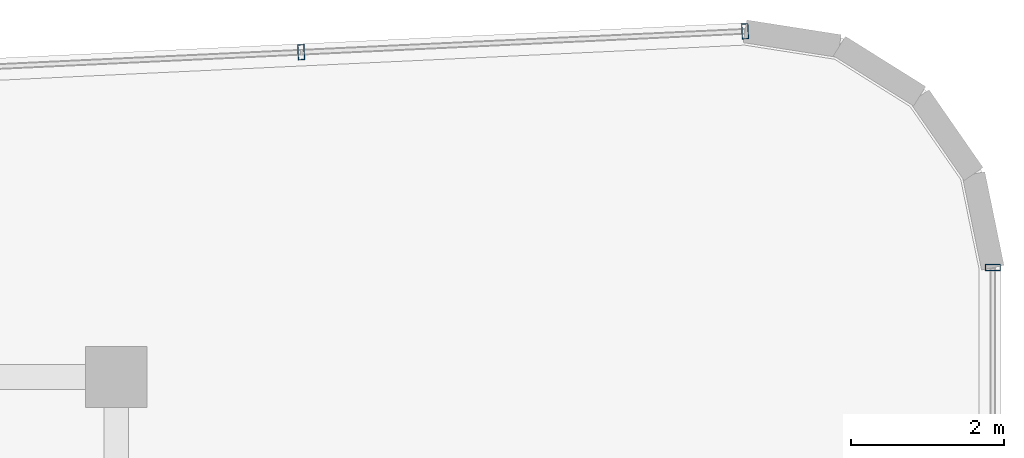
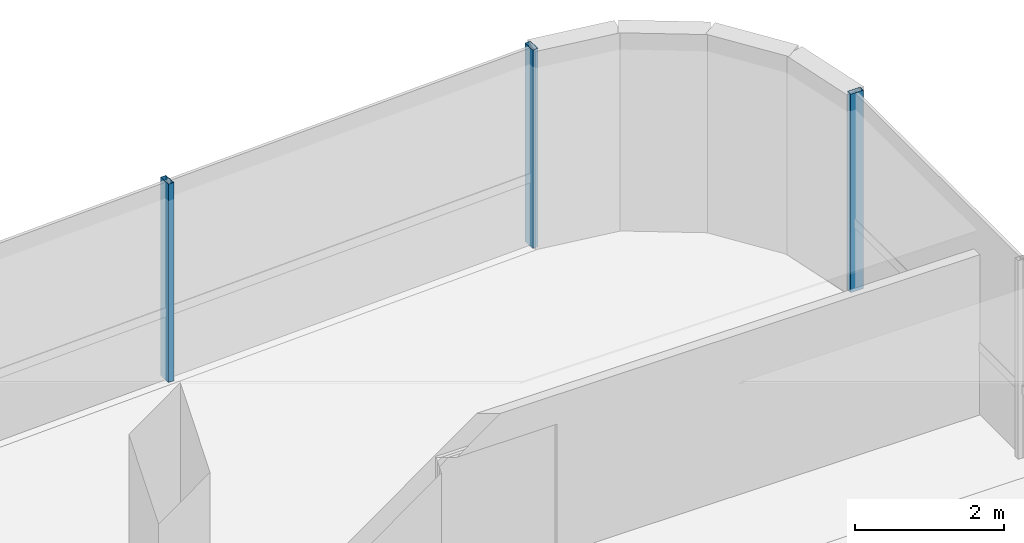
# One storey, part 12 of 20: 3 members, 2 elements without a shape of their own.
"""IFC4 building model written with IfcOpenShell, lengths in metres."""

import ifcopenshell
import ifcopenshell.guid

model = None  # the IFC model being written
_history = None  # IfcOwnerHistory: only IFC2X3 demands one
_inside = {}  # id of a spatial element -> (the spatial element, [elements in it])
_under = {}  # id of a project, library or spatial element -> (it, [spatial elements below it])
_declared = {}  # id of a project -> (the project, [libraries it declares])
_typed = {}  # id of a type object -> (the type object, [elements of that type])
_made_of = {}  # id of a material, layer set ... -> (it, [elements and type objects made of it])


def new_model(schema):
    """Start an empty IFC model of exactly this schema.

    Asked for "IFC4X3", IfcOpenShell would pick the latest addendum, in which some entities
    have other attributes; the version numbers below select the first issue.
    IFC2X3 requires an IfcOwnerHistory on every rooted entity: one is made here for all.
    """
    global model, _history
    if schema == "IFC4X3":
        model = ifcopenshell.file(schema_version=(4, 3, 0, 0))
    else:
        model = ifcopenshell.file(schema=schema)
    _inside.clear()
    _under.clear()
    _declared.clear()
    _typed.clear()
    _made_of.clear()
    _history = None
    if model.schema == "IFC2X3":
        org = make("IfcOrganization", Name="unknown")
        user = make(
            "IfcPersonAndOrganization",
            ThePerson=make("IfcPerson", FamilyName="unknown"),
            TheOrganization=org,
        )
        app = make(
            "IfcApplication",
            ApplicationDeveloper=org,
            Version="unknown",
            ApplicationFullName="unknown",
            ApplicationIdentifier="unknown",
        )
        _history = make(
            "IfcOwnerHistory",
            OwningUser=user,
            OwningApplication=app,
            ChangeAction="ADDED",
            CreationDate=0,
        )
    return model


def make(cls, **values):
    """One entity of the class cls with the attributes given. An attribute that is None is left unset."""
    return model.create_entity(
        cls, **{name: value for name, value in values.items() if value is not None}
    )


def rooted(cls, **values):
    """An entity with a GlobalId (a new one), such as an element, a storey or a relation."""
    return make(cls, GlobalId=ifcopenshell.guid.new(), OwnerHistory=_history, **values)


def si_unit(unit_type, name, prefix=None):
    """IfcSIUnit, for example si_unit("LENGTHUNIT", "METRE", prefix="MILLI")."""
    return make("IfcSIUnit", UnitType=unit_type, Prefix=prefix, Name=name)


def assignment(units):
    """IfcUnitAssignment: the units of a project."""
    return None if units is None else make("IfcUnitAssignment", Units=units)


def point(xyz):
    """IfcCartesianPoint."""
    return None if xyz is None else make("IfcCartesianPoint", Coordinates=xyz)


def direction(xyz):
    """IfcDirection."""
    return None if xyz is None else make("IfcDirection", DirectionRatios=xyz)


def frame(location, z_axis=None, x_axis=None):
    """IfcAxis2Placement3D, a coordinate frame: its origin and axes. An axis left out is left unset."""
    return make(
        "IfcAxis2Placement3D",
        Location=point(location),
        Axis=direction(z_axis),
        RefDirection=direction(x_axis),
    )


def frame_2d(location, x_axis=None):
    """IfcAxis2Placement2D, a coordinate frame in the plane: its origin and x axis."""
    return make(
        "IfcAxis2Placement2D", Location=point(location), RefDirection=direction(x_axis)
    )


def origin():
    """The frame at (0, 0, 0) with its axes left unset."""
    return frame((0.0, 0.0, 0.0))


def origin_2d():
    """The frame at (0, 0) in the plane with its x axis left unset."""
    return frame_2d((0.0, 0.0))


def place(relative_to, where):
    """IfcLocalPlacement: puts the frame where relative to a parent placement (None: the world)."""
    return make(
        "IfcLocalPlacement", PlacementRelTo=relative_to, RelativePlacement=where
    )


def context(
    kind, dimensions, precision=None, world=None, true_north=None, identifier=None
):
    """IfcGeometricRepresentationContext, for example the 3D "Model" context."""
    return make(
        "IfcGeometricRepresentationContext",
        ContextIdentifier=identifier,
        ContextType=kind,
        CoordinateSpaceDimension=dimensions,
        Precision=precision,
        WorldCoordinateSystem=world,
        TrueNorth=true_north,
    )


def subcontext(parent, identifier, kind, view, scale=None):
    """IfcGeometricRepresentationSubContext, for example "Body" below "Model"."""
    return make(
        "IfcGeometricRepresentationSubContext",
        ContextIdentifier=identifier,
        ContextType=kind,
        ParentContext=parent,
        TargetScale=scale,
        TargetView=view,
    )


def project(units=None, contexts=None):
    """IfcProject with its units and contexts."""
    return rooted(
        "IfcProject",
        Name="project",
        RepresentationContexts=contexts,
        UnitsInContext=assignment(units),
    )


def spatial(cls, under=None, at=None, **own):
    """A site, building, storey or space (cls), placed at a placement, below another one or the project."""
    s = rooted(cls, ObjectPlacement=at, **own)
    if under is not None:
        _under.setdefault(under.id(), (under, []))[1].append(s)
    return s


def profile(cls, at=None, kind="AREA", **sizes):
    """A parametric profile (cls). Its sizes go by their IFC names, for example OverallWidth=200.0."""
    return make(cls, ProfileType=kind, Position=at, **sizes)


def hollow_rectangle(**sizes):
    """IfcRectangleHollowProfileDef."""
    return profile("IfcRectangleHollowProfileDef", **sizes)


def extrude(swept, where, along, depth):
    """IfcExtrudedAreaSolid: the profile swept, set in the frame where, extruded along a direction by depth."""
    return make(
        "IfcExtrudedAreaSolid",
        SweptArea=swept,
        Position=where,
        ExtrudedDirection=direction(along),
        Depth=depth,
    )


def shape(context_of_items, identifier, shape_type, items):
    """IfcShapeRepresentation: the items that make up one representation, for example the "Body"."""
    return make(
        "IfcShapeRepresentation",
        ContextOfItems=context_of_items,
        RepresentationIdentifier=identifier,
        RepresentationType=shape_type,
        Items=items,
    )


def source(mapping_origin, context_of_items, identifier, shape_type, items):
    """IfcRepresentationMap: a shape defined once, which mapped items show again and again."""
    return make(
        "IfcRepresentationMap",
        MappingOrigin=mapping_origin,
        MappedRepresentation=shape(context_of_items, identifier, shape_type, items),
    )


def transform(
    local_origin,
    x_axis=None,
    y_axis=None,
    z_axis=None,
    scale=None,
    scale2=None,
    scale3=None,
    uniform=True,
):
    """IfcCartesianTransformationOperator3D, or its non-uniform kind. x_axis, y_axis, z_axis: its Axis1, 2, 3."""
    if uniform:
        return make(
            "IfcCartesianTransformationOperator3D",
            Axis1=direction(x_axis),
            Axis2=direction(y_axis),
            LocalOrigin=point(local_origin),
            Scale=scale,
            Axis3=direction(z_axis),
        )
    return make(
        "IfcCartesianTransformationOperator3DnonUniform",
        Axis1=direction(x_axis),
        Axis2=direction(y_axis),
        LocalOrigin=point(local_origin),
        Scale=scale,
        Axis3=direction(z_axis),
        Scale2=scale2,
        Scale3=scale3,
    )


def mapped(mapping_source, mapping_target):
    """IfcMappedItem: shows the shape of a source again, moved by a transform."""
    return make(
        "IfcMappedItem", MappingSource=mapping_source, MappingTarget=mapping_target
    )


def material(Name=None, Category=None):
    """IfcMaterial."""
    return make("IfcMaterial", Name=Name, Category=Category)


def material_profile(
    of_material, cross_section, Name=None, Category=None, Priority=None
):
    """IfcMaterialProfile: a cross section and its material."""
    return make(
        "IfcMaterialProfile",
        Name=Name,
        Material=of_material,
        Profile=cross_section,
        Priority=Priority,
        Category=Category,
    )


def profile_set(profiles, Name=None, composite=None):
    """IfcMaterialProfileSet."""
    return make(
        "IfcMaterialProfileSet",
        Name=Name,
        MaterialProfiles=profiles,
        CompositeProfile=composite,
    )


def made_of(thing, what):
    """Note that an element or type object is made of a material, layer set ...; save() writes the relation."""
    if what is not None:
        _made_of.setdefault(what.id(), (what, []))[1].append(thing)
    return thing


def type_object(cls, material=None, **own):
    """A type object (cls), such as IfcWallType, which elements share."""
    return made_of(rooted(cls, **own), material)


def element(
    cls,
    number,
    at=None,
    inside=None,
    cuts=None,
    type_object=None,
    material=None,
    context=None,
    identifier="Body",
    shape_type=None,
    held_by="IfcProductDefinitionShape",
    body=None,
    shapes=None,
    **own,
):
    """One element of the class cls, such as IfcWall. Its Tag is "e" and its number.

    at: its placement. inside: the storey or other place that contains it. cuts: it is an
    opening in that element (IfcRelVoidsElement). A single representation is given by context,
    identifier, shape_type and body (its items); several are given by shapes. held_by: the class
    of the entity that holds the representations. save() writes the other relations.
    """
    e = rooted(cls, Tag="e%d" % number, ObjectPlacement=at, **own)
    if body is not None:
        shapes = [shape(context, identifier, shape_type, body)]
    if shapes is not None:
        e.Representation = make(held_by, Representations=shapes)
    if inside is not None:
        _inside.setdefault(inside.id(), (inside, []))[1].append(e)
    if cuts is not None:
        rooted(
            "IfcRelVoidsElement", RelatingBuildingElement=cuts, RelatedOpeningElement=e
        )
    if type_object is not None:
        _typed.setdefault(type_object.id(), (type_object, []))[1].append(e)
    return made_of(e, material)


def aggregate(whole, parts):
    """IfcRelAggregates: a whole, such as a stair, and the parts it consists of."""
    return rooted("IfcRelAggregates", RelatingObject=whole, RelatedObjects=parts)


def save(model, path):
    """Write the relations noted so far, then the file.

    IfcRelAggregates (storeys below a building ...), IfcRelContainedInSpatialStructure (elements
    in a storey), IfcRelDefinesByType, IfcRelAssociatesMaterial and IfcRelDeclares: one each for
    every whole, place, type object, material and project.
    """
    for whole, parts in _under.values():
        aggregate(whole, parts)
    for where, things in _inside.values():
        rooted(
            "IfcRelContainedInSpatialStructure",
            RelatedElements=things,
            RelatingStructure=where,
        )
    for kind, things in _typed.values():
        rooted("IfcRelDefinesByType", RelatedObjects=things, RelatingType=kind)
    for what, things in _made_of.values():
        rooted("IfcRelAssociatesMaterial", RelatedObjects=things, RelatingMaterial=what)
    for by, libraries in _declared.values():
        rooted("IfcRelDeclares", RelatingContext=by, RelatedDefinitions=libraries)
    model.write(path)


model = new_model("IFC4")

# Units and contexts
model_context = context("Model", 3, precision=1e-05, world=origin(), true_north=direction((0.0, 1.0)))
body_context = subcontext(model_context, "Body", "Model", "MODEL_VIEW")
ifc_project = project(units=[si_unit("LENGTHUNIT", "METRE"), si_unit("AREAUNIT", "SQUARE_METRE"), si_unit("VOLUMEUNIT", "CUBIC_METRE"), si_unit("PLANEANGLEUNIT", "RADIAN"), si_unit("MASSUNIT", "GRAM", prefix="KILO")], contexts=[model_context])

# Site, building, storey
site_placement = place(None, origin())
site = spatial("IfcSite", under=ifc_project, at=site_placement, CompositionType="ELEMENT")
building_placement = place(site_placement, origin())
building = spatial("IfcBuilding", under=site, at=building_placement, Name="Valdorenza Pilgrim Sanctuary Tower", CompositionType="ELEMENT")
storey_placement = place(building_placement, frame((0.0, 0.0, 280.0)))
storey = spatial("IfcBuildingStorey", under=building, at=storey_placement, Name="L73", CompositionType="ELEMENT", Elevation=280.0)

# Curtain wall, members
ifc_material_1 = material(Name="Curtain-wall IGU glazing", Category="glass")
curtain_wall_type = type_object("IfcCurtainWallType", Name="CW-SYS-02", PredefinedType="NOTDEFINED", material=ifc_material_1)
curtain_wall_1_placement = place(storey_placement, origin())
curtain_wall_1 = element("IfcCurtainWall", 1, at=curtain_wall_1_placement, inside=storey, type_object=curtain_wall_type, Name="L73 Curtain Wall CW-L73-1-6", PredefinedType="NOTDEFINED")
ifc_material_2 = material(Name="Anodised aluminium AW-6060", Category="aluminium")
ifc_material_profile = material_profile(ifc_material_2, hollow_rectangle(XDim=0.0849609375, YDim=0.199951171875, WallThickness=0.0048828125, at=origin_2d()), Name="ALU-M 200x85x5")
ifc_profile_set = profile_set([ifc_material_profile], Name="Anodised aluminium AW-6060")
member_type = type_object("IfcMemberType", Name="CW-MUL-02", PredefinedType="MULLION", material=ifc_profile_set)
shared_shape = source(origin(), body_context, "Body", "SweptSolid", [
    extrude(hollow_rectangle(XDim=0.0849609375, YDim=0.199951171875, WallThickness=0.0048828125, at=origin_2d()), origin(), (0.0, 0.0, 1.0), 3.260009765625),
])
member_1_placement = place(storey_placement, frame((-9.976318359375, 19.057373046875, 0.0), z_axis=(0.0, 0.0, 1.0), x_axis=(0.998890696972, 0.047089016785, 0.0)))
member_1 = element("IfcMember", 2, at=member_1_placement, type_object=member_type, Name="CW-L73-1-6 Mullion 4", PredefinedType="MULLION", context=body_context, shape_type="MappedRepresentation", body=[
    mapped(shared_shape, transform((0.0, 0.0, 0.0), x_axis=(1.0, 0.0, 0.0), y_axis=(0.0, 1.0, 0.0), z_axis=(0.0, 0.0, 1.0), scale=1.0)),
])
member_2_placement = place(storey_placement, frame((-4.15673828125, 19.331787109375, 0.0), z_axis=(0.0, 0.0, 1.0), x_axis=(0.998890696972, 0.047089016785, 0.0)))
member_2 = element("IfcMember", 3, at=member_2_placement, type_object=member_type, Name="CW-L73-1-6 Mullion 5", PredefinedType="MULLION", context=body_context, shape_type="MappedRepresentation", body=[
    mapped(shared_shape, transform((0.0, 0.0, 0.0), x_axis=(1.0, 0.0, 0.0), y_axis=(0.0, 1.0, 0.0), z_axis=(0.0, 0.0, 1.0), scale=1.0)),
])
aggregate(curtain_wall_1, [member_1, member_2])

# Curtain wall, member
curtain_wall_2_placement = place(storey_placement, origin())
curtain_wall_2 = element("IfcCurtainWall", 4, at=curtain_wall_2_placement, inside=storey, type_object=curtain_wall_type, Name="L73 Curtain Wall CW-L73-1-11", PredefinedType="NOTDEFINED")
member_3_placement = place(storey_placement, frame((-0.909912109375, 16.234375, 0.0), z_axis=(0.0, 0.0, 1.0), x_axis=(0.0, -1.0, 0.0)))
member_3 = element("IfcMember", 5, at=member_3_placement, type_object=member_type, Name="CW-L73-1-11 Mullion 1", PredefinedType="MULLION", context=body_context, shape_type="MappedRepresentation", body=[
    mapped(shared_shape, transform((0.0, 0.0, 0.0), x_axis=(1.0, 0.0, 0.0), y_axis=(0.0, 1.0, 0.0), z_axis=(0.0, 0.0, 1.0), scale=1.0)),
])
aggregate(curtain_wall_2, [member_3])

save(model, "model.ifc")
